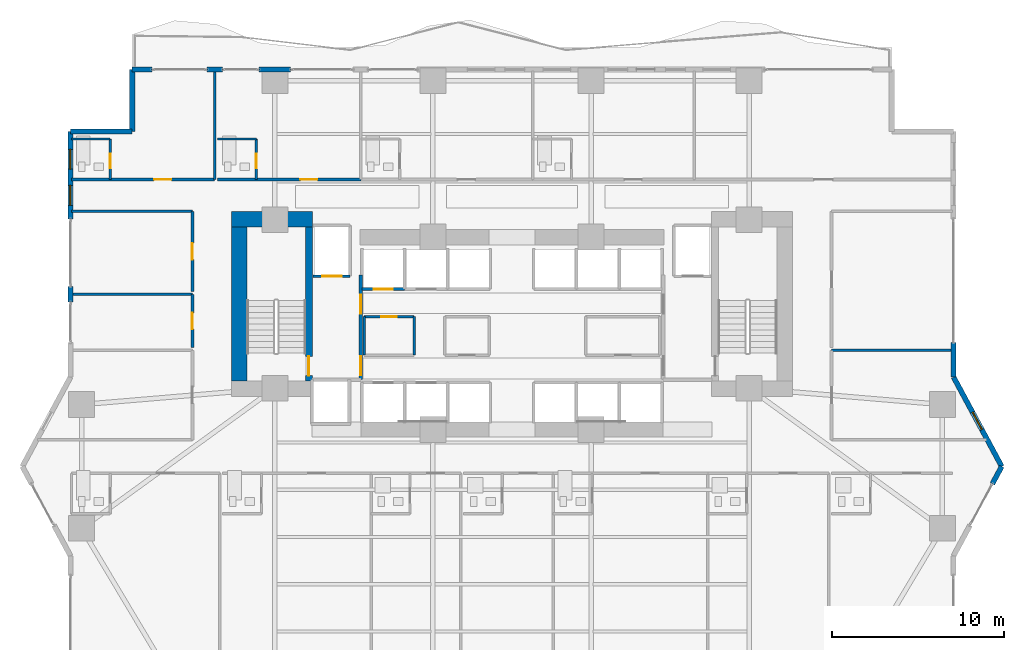
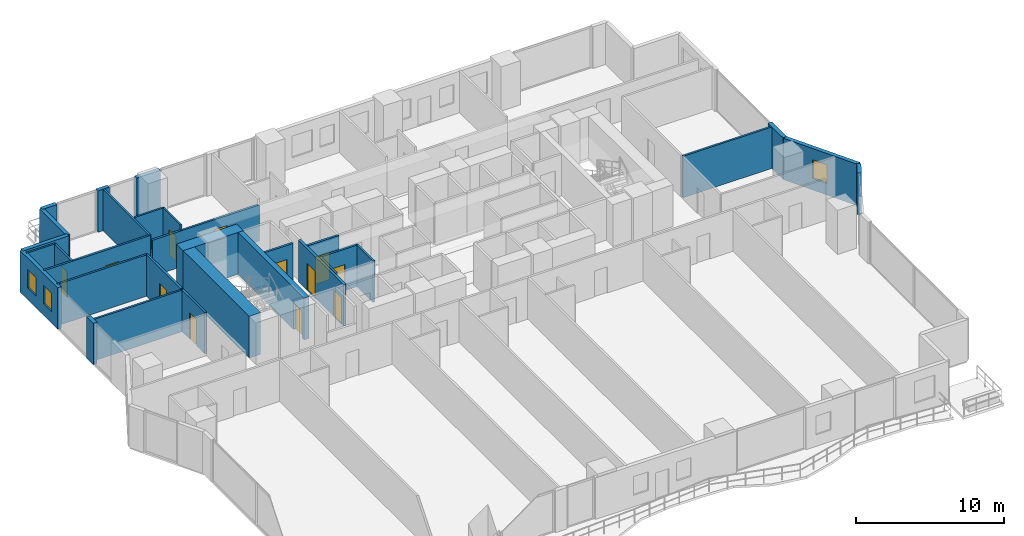
# One storey, part 20 of 29: 31 walls, 12 doors, 3 windows, 15 openings.
"""IFC4 building model written with IfcOpenShell, lengths in metres."""

from ifc_helpers import new_model, si_unit, direction, frame, frame_2d, origin, place, context, subcontext, project, spatial, rectangle, extrude, material, layer, layer_set, type_object, element, fill, save


model = new_model("IFC4")

# Units and contexts
model_context = context("Model", 3, precision=1e-05, world=origin(), true_north=direction((0.0, 1.0)))
body_context = subcontext(model_context, "Body", "Model", "MODEL_VIEW")
ifc_project = project(units=[si_unit("LENGTHUNIT", "METRE"), si_unit("AREAUNIT", "SQUARE_METRE"), si_unit("VOLUMEUNIT", "CUBIC_METRE"), si_unit("PLANEANGLEUNIT", "RADIAN"), si_unit("MASSUNIT", "GRAM", prefix="KILO")], contexts=[model_context])

# Site, building, storey
site_placement = place(None, origin())
site = spatial("IfcSite", under=ifc_project, at=site_placement, CompositionType="ELEMENT")
building_placement = place(site_placement, origin())
building = spatial("IfcBuilding", under=site, at=building_placement, Name="Zuhayl Quay Hotel", CompositionType="ELEMENT")
storey_placement = place(building_placement, frame((0.0, 0.0, 42.199951171875)))
storey = spatial("IfcBuildingStorey", under=building, at=storey_placement, Name="L09", CompositionType="ELEMENT", Elevation=42.199951171875)

# Walls
ifc_material_1 = material(Name="Concrete C70/85", Category="concrete")
ifc_layer_1 = layer(ifc_material_1, 0.89990234375, Name="Concrete C70/85", Category="concrete")
ifc_layer_set_1 = layer_set([ifc_layer_1], Name="Concrete C70/85")
wall_type_1 = type_object("IfcWallType", Name="WL_CORE_900", PredefinedType="SHEAR", material=ifc_layer_set_1)
wall_1_placement = place(storey_placement, frame((-16.31005859375, 14.3798828125, 0.0), z_axis=(0.0, 0.0, 1.0), x_axis=(1.0, 0.0, 0.0)))
element("IfcWall", 1, at=wall_1_placement, inside=storey, type_object=wall_type_1, Name="L09 Core Shear Wall CW_NW", PredefinedType="SHEAR", context=body_context, shape_type="SweptSolid", body=[
    extrude(rectangle(XDim=4.7099609375, YDim=0.89990234375, at=frame_2d((2.35498046875, 0.0))), origin(), (0.0, 0.0, 1.0), 3.4599609375),
])
wall_2_placement = place(storey_placement, frame((-15.860107421875, 4.969970703125, 0.0), z_axis=(0.0, 0.0, 1.0), x_axis=(0.0, 1.0, 0.0)))
element("IfcWall", 2, at=wall_2_placement, inside=storey, type_object=wall_type_1, Name="L09 Core Shear Wall CW_W", PredefinedType="SHEAR", context=body_context, shape_type="SweptSolid", body=[
    extrude(rectangle(XDim=8.9599609375, YDim=0.89990234375, at=frame_2d((4.47998046875, 0.0))), origin(), (0.0, 0.0, 1.0), 3.4599609375),
])
ifc_material_2 = material(Name="Precast concrete C45/55", Category="concrete")
ifc_layer_2 = layer(ifc_material_2, 0.300048828125, Name="Precast concrete C45/55", Category="concrete")
ifc_layer_set_2 = layer_set([ifc_layer_2], Name="Precast concrete C45/55")
wall_type_2 = type_object("IfcWallType", Name="WL_EXT_300", PredefinedType="STANDARD", material=ifc_layer_set_2)
wall_3_placement = place(storey_placement, frame((-25.699951171875, 9.570068359375, 0.0), z_axis=(0.0, 0.0, 1.0), x_axis=(0.0, 1.0, 0.0)))
element("IfcWall", 3, at=wall_3_placement, inside=storey, type_object=wall_type_2, Name="L09 Exterior Precast Wall ENV_L09_E05_EW2", PredefinedType="STANDARD", context=body_context, shape_type="SweptSolid", body=[
    extrude(rectangle(XDim=0.89990234375, YDim=0.300048828125, at=frame_2d((0.449951171875, 0.0))), origin(), (0.0, 0.0, 1.0), 3.429931640625),
])

# Wall, openings, windows
wall_4_placement = place(storey_placement, frame((-25.699951171875, 14.39990234375, 0.0), z_axis=(0.0, 0.0, 1.0), x_axis=(0.0, 1.0, 0.0)))
wall_4 = element("IfcWall", 4, at=wall_4_placement, inside=storey, type_object=wall_type_2, Name="L09 Exterior Precast Wall ENV_L09_E05_EW3", PredefinedType="STANDARD", context=body_context, shape_type="SweptSolid", body=[
    extrude(rectangle(XDim=5.10009765625, YDim=0.300048828125, at=frame_2d((2.550048828125, 0.0))), origin(), (0.0, 0.0, 1.0), 3.429931640625),
])
opening_1_placement = place(wall_4_placement, frame((0.800048828125, 0.0, 0.949951171875)))
opening_1 = element("IfcOpeningElement", 5, at=opening_1_placement, cuts=wall_4, Name="Opening W01N", PredefinedType="OPENING", context=body_context, shape_type="SweptSolid", body=[
    extrude(rectangle(XDim=1.14990234375, YDim=1.550048828125, at=frame_2d((0.574951171875, 0.77490234375))), frame((0.0, 0.159912109375, 0.0), z_axis=(0.0, -1.0, 0.0), x_axis=(1.0, 0.0, 0.0)), (0.0, 0.0, 1.0), 0.320068359375),
])
opening_2_placement = place(wall_4_placement, frame((2.905029296875, 0.0, 0.949951171875)))
opening_2 = element("IfcOpeningElement", 6, at=opening_2_placement, cuts=wall_4, Name="Opening W01N", PredefinedType="OPENING", context=body_context, shape_type="SweptSolid", body=[
    extrude(rectangle(XDim=1.14990234375, YDim=1.550048828125, at=frame_2d((0.574951171875, 0.77490234375))), frame((0.0, 0.159912109375, 0.0), z_axis=(0.0, -1.0, 0.0), x_axis=(1.0, 0.0, 0.0)), (0.0, 0.0, 1.0), 0.320068359375),
])
ifc_material_3 = material(Name="Dark Ceramic-Fritted Solar Glass", Category="glass")
window_type = type_object("IfcWindowType", Name="WN_NOTCH_1350", PartitioningType="SINGLE_PANEL", PredefinedType="WINDOW", material=ifc_material_3)
window_1_placement = place(opening_1_placement, origin())
window_1 = element("IfcWindow", 7, at=window_1_placement, inside=storey, type_object=window_type, Name="L09 Operable Facade Window 3-1", OverallHeight=1.550048828125, OverallWidth=1.14990234375, PartitioningType="SINGLE_PANEL", PredefinedType="WINDOW", context=body_context, shape_type="SweptSolid", body=[
    extrude(rectangle(XDim=1.14990234375, YDim=1.550048828125, at=frame_2d((0.574951171875, 0.77490234375))), frame((0.0, 0.030029296875, 0.0), z_axis=(0.0, -1.0, 0.0), x_axis=(1.0, 0.0, 0.0)), (0.0, 0.0, 1.0), 0.06005859375),
])
fill(opening_1, window_1)
window_2_placement = place(opening_2_placement, origin())
window_2 = element("IfcWindow", 8, at=window_2_placement, inside=storey, type_object=window_type, Name="L09 Operable Facade Window 3-2", OverallHeight=1.550048828125, OverallWidth=1.14990234375, PartitioningType="SINGLE_PANEL", PredefinedType="WINDOW", context=body_context, shape_type="SweptSolid", body=[
    extrude(rectangle(XDim=1.14990234375, YDim=1.550048828125, at=frame_2d((0.574951171875, 0.77490234375))), frame((0.0, 0.030029296875, 0.0), z_axis=(0.0, -1.0, 0.0), x_axis=(1.0, 0.0, 0.0)), (0.0, 0.0, 1.0), 0.06005859375),
])
fill(opening_2, window_2)

# Walls
wall_5_placement = place(storey_placement, frame((-25.699951171875, 19.5, 0.0), z_axis=(0.0, 0.0, 1.0), x_axis=(1.0, 0.0, 0.0)))
element("IfcWall", 9, at=wall_5_placement, inside=storey, type_object=wall_type_2, Name="L09 Exterior Precast Wall ENV_L09_EW06", PredefinedType="STANDARD", context=body_context, shape_type="SweptSolid", body=[
    extrude(rectangle(XDim=3.599853515625, YDim=0.300048828125, at=frame_2d((1.7998046875, 0.0))), origin(), (0.0, 0.0, 1.0), 3.429931640625),
])
wall_6_placement = place(storey_placement, frame((-22.10009765625, 19.5, 0.0), z_axis=(0.0, 0.0, 1.0), x_axis=(0.0, 1.0, 0.0)))
element("IfcWall", 10, at=wall_6_placement, inside=storey, type_object=wall_type_2, Name="L09 Exterior Precast Wall ENV_L09_EW07", PredefinedType="STANDARD", context=body_context, shape_type="SweptSolid", body=[
    extrude(rectangle(XDim=3.60009765625, YDim=0.300048828125, at=frame_2d((1.800048828125, 0.0))), origin(), (0.0, 0.0, 1.0), 3.429931640625),
])
wall_7_placement = place(storey_placement, frame((-22.10009765625, 23.10009765625, 0.0), z_axis=(0.0, 0.0, 1.0), x_axis=(1.0, 0.0, 0.0)))
element("IfcWall", 11, at=wall_7_placement, inside=storey, type_object=wall_type_2, Name="L09 Exterior Precast Wall ENV_L09_N_EW1", PredefinedType="STANDARD", context=body_context, shape_type="SweptSolid", body=[
    extrude(rectangle(XDim=1.150146484375, YDim=0.300048828125, at=frame_2d((0.5751953125, 0.0))), origin(), (0.0, 0.0, 1.0), 3.429931640625),
])
wall_8_placement = place(storey_placement, frame((-17.75, 23.10009765625, 0.0), z_axis=(0.0, 0.0, 1.0), x_axis=(1.0, 0.0, 0.0)))
element("IfcWall", 12, at=wall_8_placement, inside=storey, type_object=wall_type_2, Name="L09 Exterior Precast Wall ENV_L09_N_EW2", PredefinedType="STANDARD", context=body_context, shape_type="SweptSolid", body=[
    extrude(rectangle(XDim=0.89990234375, YDim=0.300048828125, at=frame_2d((0.449951171875, 0.0))), origin(), (0.0, 0.0, 1.0), 3.429931640625),
])
wall_9_placement = place(storey_placement, frame((-14.719970703125, 23.10009765625, 0.0), z_axis=(0.0, 0.0, 1.0), x_axis=(1.0, 0.0, 0.0)))
element("IfcWall", 13, at=wall_9_placement, inside=storey, type_object=wall_type_2, Name="L09 Exterior Precast Wall ENV_L09_N_EW3", PredefinedType="STANDARD", context=body_context, shape_type="SweptSolid", body=[
    extrude(rectangle(XDim=1.840087890625, YDim=0.300048828125, at=frame_2d((0.919921875, 0.0))), origin(), (0.0, 0.0, 1.0), 3.429931640625),
])
wall_10_placement = place(storey_placement, frame((25.699951171875, 7.199951171875, 0.0), z_axis=(0.0, 0.0, 1.0), x_axis=(0.0, -1.0, 0.0)))
element("IfcWall", 14, at=wall_10_placement, inside=storey, type_object=wall_type_2, Name="L09 Exterior Precast Wall ENV_L09_E11_EW2", PredefinedType="STANDARD", context=body_context, shape_type="SweptSolid", body=[
    extrude(rectangle(XDim=2.0, YDim=0.300048828125, at=frame_2d((1.0, 0.0))), origin(), (0.0, 0.0, 1.0), 3.429931640625),
])

# Wall, opening, window
wall_11_placement = place(storey_placement, frame((25.699951171875, 5.199951171875, 0.0), z_axis=(0.0, 0.0, 1.0), x_axis=(0.474109683532, -0.880465790352, 0.0)))
wall_11 = element("IfcWall", 15, at=wall_11_placement, inside=storey, type_object=wall_type_2, Name="L09 Exterior Precast Wall ENV_L09_E12_EW1", PredefinedType="STANDARD", context=body_context, shape_type="SweptSolid", body=[
    extrude(rectangle(XDim=5.906005859375, YDim=0.300048828125, at=frame_2d((2.953125, 0.0))), origin(), (0.0, 0.0, 1.0), 3.429931640625),
])
opening_3_placement = place(wall_11_placement, frame((2.32373046875, 0.0, 0.949951171875)))
opening_3 = element("IfcOpeningElement", 16, at=opening_3_placement, cuts=wall_11, Name="Opening W01N", PredefinedType="OPENING", context=body_context, shape_type="SweptSolid", body=[
    extrude(rectangle(XDim=1.14990234375, YDim=1.550048828125, at=frame_2d((0.574951171875, 0.77490234375))), frame((0.0, 0.159912109375, 0.0), z_axis=(0.0, -1.0, 0.0), x_axis=(1.0, 0.0, 0.0)), (0.0, 0.0, 1.0), 0.320068359375),
])
window_3_placement = place(opening_3_placement, origin())
window_3 = element("IfcWindow", 17, at=window_3_placement, inside=storey, type_object=window_type, Name="L09 Operable Facade Window 1-1", OverallHeight=1.550048828125, OverallWidth=1.14990234375, PartitioningType="SINGLE_PANEL", PredefinedType="WINDOW", context=body_context, shape_type="SweptSolid", body=[
    extrude(rectangle(XDim=1.14990234375, YDim=1.550048828125, at=frame_2d((0.574951171875, 0.77490234375))), frame((0.0, 0.030029296875, 0.0), z_axis=(0.0, -1.0, 0.0), x_axis=(1.0, 0.0, 0.0)), (0.0, 0.0, 1.0), 0.06005859375),
])
fill(opening_3, window_3)

# Wall
wall_12_placement = place(storey_placement, frame((28.5, 0.0, 0.0), z_axis=(0.0, 0.0, 1.0), x_axis=(-0.474099823035, -0.880471099922, 0.0)))
element("IfcWall", 18, at=wall_12_placement, inside=storey, type_object=wall_type_2, Name="L09 Exterior Precast Wall ENV_L09_E13_EW1", PredefinedType="STANDARD", context=body_context, shape_type="SweptSolid", body=[
    extrude(rectangle(XDim=1.14990234375, YDim=0.300048828125, at=frame_2d((0.574951171875, 0.0))), origin(), (0.0, 0.0, 1.0), 3.429931640625),
])

# Wall, opening, door
ifc_material_4 = material(Name="Acoustic Gypsum Partition STC-58")
ifc_layer_3 = layer(ifc_material_4, 0.14990234375, Name="Acoustic Gypsum Partition STC-58")
ifc_layer_set_3 = layer_set([ifc_layer_3], Name="Acoustic Gypsum Partition STC-58")
wall_type_3 = type_object("IfcWallType", Name="WL_PART_150", PredefinedType="PARTITIONING", material=ifc_layer_set_3)
wall_13_placement = place(storey_placement, frame((-8.610107421875, 8.719970703125, 0.0), z_axis=(0.0, 0.0, 1.0), x_axis=(1.0, 0.0, 0.0)))
wall_13 = element("IfcWall", 19, at=wall_13_placement, inside=storey, type_object=wall_type_3, Name="L09 Partition IW_L09_CORE_HK_N", PredefinedType="PARTITIONING", context=body_context, shape_type="SweptSolid", body=[
    extrude(rectangle(XDim=2.920166015625, YDim=0.14990234375, at=frame_2d((1.4599609375, 0.0))), origin(), (0.0, 0.0, 1.0), 3.429931640625),
])
opening_4_placement = place(wall_13_placement, frame((1.010009765625, 0.0, 0.0)))
opening_4 = element("IfcOpeningElement", 20, at=opening_4_placement, cuts=wall_13, Name="Opening D06", PredefinedType="OPENING", context=body_context, shape_type="SweptSolid", body=[
    extrude(rectangle(XDim=0.89990234375, YDim=2.14990234375, at=frame_2d((0.449951171875, 1.074951171875))), frame((0.0, 0.0849609375, 0.0), z_axis=(0.0, -1.0, 0.0), x_axis=(1.0, 0.0, 0.0)), (0.0, 0.0, 1.0), 0.169921875),
])
ifc_material_5 = material(Name="Steel ASTM A992 Grade 50", Category="steel")
door_type_1 = type_object("IfcDoorType", Name="DR_INT_900", OperationType="NOTDEFINED", PredefinedType="DOOR", material=ifc_material_5)
door_1_placement = place(opening_4_placement, origin())
door_1 = element("IfcDoor", 21, at=door_1_placement, inside=storey, type_object=door_type_1, Name="L09 Core Housekeeping Store Door", OperationType="SINGLE_SWING_RIGHT", OverallHeight=2.14990234375, OverallWidth=0.89990234375, PredefinedType="DOOR", context=body_context, shape_type="SweptSolid", body=[
    extrude(rectangle(XDim=0.89990234375, YDim=2.14990234375, at=frame_2d((0.449951171875, 1.074951171875))), frame((0.0, 0.02490234375, 0.0), z_axis=(0.0, -1.0, 0.0), x_axis=(1.0, 0.0, 0.0)), (0.0, 0.0, 1.0), 0.050048828125),
])
fill(opening_4, door_1)

# Walls
for number, where, z_axis, x_axis, name in (
    (22, (-8.610107421875, 6.47998046875, 0.0), (0.0, 0.0, 1.0), (0.0, 1.0, 0.0), "L09 Partition IW_L09_CORE_HK_W"),
    (23, (-5.68994140625, 6.47998046875, 0.0), (0.0, 0.0, 1.0), (0.0, 1.0, 0.0), "L09 Partition IW_L09_CORE_HK_E"),
):
    element("IfcWall", number, at=place(storey_placement, frame(where, z_axis=z_axis, x_axis=x_axis)), inside=storey, type_object=wall_type_3, Name=name, PredefinedType="PARTITIONING", context=body_context, shape_type="SweptSolid", body=[
        extrude(rectangle(XDim=2.239990234375, YDim=0.14990234375, at=frame_2d((1.1201171875, 0.0))), origin(), (0.0, 0.0, 1.0), 3.429931640625),
    ])
wall_14_placement = place(storey_placement, frame((-17.300048828125, 16.699951171875, 0.0), z_axis=(0.0, 0.0, 1.0), x_axis=(0.0, 1.0, 0.0)))
element("IfcWall", 24, at=wall_14_placement, inside=storey, type_object=wall_type_3, Name="L09 Partition IW_L09_NU01A_E", PredefinedType="PARTITIONING", context=body_context, shape_type="SweptSolid", body=[
    extrude(rectangle(XDim=6.320068359375, YDim=0.14990234375, at=frame_2d((3.16015625, 0.0))), origin(), (0.0, 0.0, 1.0), 3.429931640625),
])
for number, where, z_axis, x_axis, name in (
    (25, (18.60009765625, 6.75, 0.0), (0.0, 0.0, 1.0), (1.0, 0.0, 0.0), "L09 Partition IW_L09_HK_MAIN_N"),
    (26, (-25.639892578125, 10.02001953125, 0.0), (0.0, 0.0, 1.0), (1.0, 0.0, 0.0), "L09 Partition IW_L09_WPROW_2_N"),
    (27, (-25.639892578125, 14.85009765625, 0.0), (0.0, 0.0, 1.0), (1.0, 0.0, 0.0), "L09 Partition IW_L09_WPROW_3_N"),
):
    element("IfcWall", number, at=place(storey_placement, frame(where, z_axis=z_axis, x_axis=x_axis)), inside=storey, type_object=wall_type_3, Name=name, PredefinedType="PARTITIONING", context=body_context, shape_type="SweptSolid", body=[
        extrude(rectangle(XDim=7.039794921875, YDim=0.14990234375, at=frame_2d((3.52001953125, 0.0))), origin(), (0.0, 0.0, 1.0), 3.429931640625),
    ])

# Wall, opening, door
ifc_layer_4 = layer(ifc_material_4, 0.159912109375, Name="Acoustic Gypsum Partition STC-58")
ifc_layer_set_4 = layer_set([ifc_layer_4], Name="Acoustic Gypsum Partition STC-58")
wall_type_4 = type_object("IfcWallType", Name="WL_PART_CORR_160", PredefinedType="PARTITIONING", material=ifc_layer_set_4)
wall_15_placement = place(storey_placement, frame((-25.639892578125, 16.699951171875, 0.0), z_axis=(0.0, 0.0, 1.0), x_axis=(1.0, 0.0, 0.0)))
wall_15 = element("IfcWall", 28, at=wall_15_placement, inside=storey, type_object=wall_type_4, Name="L09 Partition IW_L09_NU01A_COR", PredefinedType="PARTITIONING", context=body_context, shape_type="SweptSolid", body=[
    extrude(rectangle(XDim=8.33984375, YDim=0.159912109375, at=frame_2d((4.169921875, 0.0))), origin(), (0.0, 0.0, 1.0), 3.429931640625),
])
opening_5_placement = place(wall_15_placement, frame((4.820068359375, 0.0, 0.0)))
opening_5 = element("IfcOpeningElement", 29, at=opening_5_placement, cuts=wall_15, Name="Opening D03L", PredefinedType="OPENING", context=body_context, shape_type="SweptSolid", body=[
    extrude(rectangle(XDim=1.0, YDim=2.14990234375, at=frame_2d((0.5, 1.074951171875))), frame((0.0, 0.08984375, 0.0), z_axis=(0.0, -1.0, 0.0), x_axis=(1.0, 0.0, 0.0)), (0.0, 0.0, 1.0), 0.179931640625),
])
ifc_material_6 = material(Name="Solid Walnut Acoustic Fire Door")
door_type_2 = type_object("IfcDoorType", Name="DR_SUITE_1000", OperationType="NOTDEFINED", PredefinedType="DOOR", material=ifc_material_6)
door_2_placement = place(opening_5_placement, origin())
door_2 = element("IfcDoor", 30, at=door_2_placement, inside=storey, type_object=door_type_2, Name="L09 Deluxe Gulf Guest Room L09-01A Entrance Door", OperationType="SINGLE_SWING_RIGHT", OverallHeight=2.14990234375, OverallWidth=1.0, PredefinedType="DOOR", context=body_context, shape_type="SweptSolid", body=[
    extrude(rectangle(XDim=1.0, YDim=2.14990234375, at=frame_2d((0.5, 1.074951171875))), frame((0.0, 0.02490234375, 0.0), z_axis=(0.0, -1.0, 0.0), x_axis=(1.0, 0.0, 0.0)), (0.0, 0.0, 1.0), 0.050048828125),
])
fill(opening_5, door_2)

wall_16_placement = place(storey_placement, frame((-17.139892578125, 16.699951171875, 0.0), z_axis=(0.0, 0.0, 1.0), x_axis=(1.0, 0.0, 0.0)))
wall_16 = element("IfcWall", 31, at=wall_16_placement, inside=storey, type_object=wall_type_4, Name="L09 Partition IW_L09_NU01B_COR", PredefinedType="PARTITIONING", context=body_context, shape_type="SweptSolid", body=[
    extrude(rectangle(XDim=8.33984375, YDim=0.159912109375, at=frame_2d((4.169921875, 0.0))), origin(), (0.0, 0.0, 1.0), 2.97314453125),
])
opening_6_placement = place(wall_16_placement, frame((4.820068359375, 0.0, 0.0)))
opening_6 = element("IfcOpeningElement", 32, at=opening_6_placement, cuts=wall_16, Name="Opening D03L", PredefinedType="OPENING", context=body_context, shape_type="SweptSolid", body=[
    extrude(rectangle(XDim=1.0, YDim=2.14990234375, at=frame_2d((0.5, 1.074951171875))), frame((0.0, 0.08984375, 0.0), z_axis=(0.0, -1.0, 0.0), x_axis=(1.0, 0.0, 0.0)), (0.0, 0.0, 1.0), 0.179931640625),
])
door_3_placement = place(opening_6_placement, origin())
door_3 = element("IfcDoor", 33, at=door_3_placement, inside=storey, type_object=door_type_2, Name="L09 Deluxe Gulf Guest Room L09-01B Entrance Door", OperationType="SINGLE_SWING_RIGHT", OverallHeight=2.14990234375, OverallWidth=1.0, PredefinedType="DOOR", context=body_context, shape_type="SweptSolid", body=[
    extrude(rectangle(XDim=1.0, YDim=2.14990234375, at=frame_2d((0.5, 1.074951171875))), frame((0.0, 0.02490234375, 0.0), z_axis=(0.0, -1.0, 0.0), x_axis=(1.0, 0.0, 0.0)), (0.0, 0.0, 1.0), 0.050048828125),
])
fill(opening_6, door_3)

wall_17_placement = place(storey_placement, frame((-18.60009765625, 6.909912109375, 0.0), z_axis=(0.0, 0.0, 1.0), x_axis=(0.0, 1.0, 0.0)))
wall_17 = element("IfcWall", 34, at=wall_17_placement, inside=storey, type_object=wall_type_4, Name="L09 Partition IW_L09_WPROW_2_E", PredefinedType="PARTITIONING", context=body_context, shape_type="SweptSolid", body=[
    extrude(rectangle(XDim=3.110107421875, YDim=0.159912109375, at=frame_2d((1.55517578125, 0.0))), origin(), (0.0, 0.0, 1.0), 3.429931640625),
])
opening_7_placement = place(wall_17_placement, frame((1.080078125, 0.0, 0.0)))
opening_7 = element("IfcOpeningElement", 35, at=opening_7_placement, cuts=wall_17, Name="Opening D03", PredefinedType="OPENING", context=body_context, shape_type="SweptSolid", body=[
    extrude(rectangle(XDim=0.949951171875, YDim=2.14990234375, at=frame_2d((0.47509765625, 1.074951171875))), frame((0.0, 0.08984375, 0.0), z_axis=(0.0, -1.0, 0.0), x_axis=(1.0, 0.0, 0.0)), (0.0, 0.0, 1.0), 0.179931640625),
])
door_type_3 = type_object("IfcDoorType", Name="DR_SUITE_950", OperationType="NOTDEFINED", PredefinedType="DOOR", material=ifc_material_6)
door_4_placement = place(opening_7_placement, origin())
door_4 = element("IfcDoor", 36, at=door_4_placement, inside=storey, type_object=door_type_3, Name="L09 Sunset Tea Salon L09 Door", OperationType="SINGLE_SWING_LEFT", OverallHeight=2.14990234375, OverallWidth=0.949951171875, PredefinedType="DOOR", context=body_context, shape_type="SweptSolid", body=[
    extrude(rectangle(XDim=0.949951171875, YDim=2.14990234375, at=frame_2d((0.47509765625, 1.074951171875))), frame((0.0, 0.02490234375, 0.0), z_axis=(0.0, -1.0, 0.0), x_axis=(1.0, 0.0, 0.0)), (0.0, 0.0, 1.0), 0.050048828125),
])
fill(opening_7, door_4)

wall_18_placement = place(storey_placement, frame((-18.60009765625, 10.179931640625, 0.0), z_axis=(0.0, 0.0, 1.0), x_axis=(0.0, 1.0, 0.0)))
wall_18 = element("IfcWall", 37, at=wall_18_placement, inside=storey, type_object=wall_type_4, Name="L09 Partition IW_L09_WPROW_3_E", PredefinedType="PARTITIONING", context=body_context, shape_type="SweptSolid", body=[
    extrude(rectangle(XDim=4.670166015625, YDim=0.159912109375, at=frame_2d((2.3349609375, 0.0))), origin(), (0.0, 0.0, 1.0), 3.429931640625),
])
opening_8_placement = place(wall_18_placement, frame((1.860107421875, 0.0, 0.0)))
opening_8 = element("IfcOpeningElement", 38, at=opening_8_placement, cuts=wall_18, Name="Opening D03", PredefinedType="OPENING", context=body_context, shape_type="SweptSolid", body=[
    extrude(rectangle(XDim=0.949951171875, YDim=2.14990234375, at=frame_2d((0.47509765625, 1.074951171875))), frame((0.0, 0.08984375, 0.0), z_axis=(0.0, -1.0, 0.0), x_axis=(1.0, 0.0, 0.0)), (0.0, 0.0, 1.0), 0.179931640625),
])
door_5_placement = place(opening_8_placement, origin())
door_5 = element("IfcDoor", 39, at=door_5_placement, inside=storey, type_object=door_type_3, Name="L09 West Horizon Salon L09 Door", OperationType="SINGLE_SWING_RIGHT", OverallHeight=2.14990234375, OverallWidth=0.949951171875, PredefinedType="DOOR", context=body_context, shape_type="SweptSolid", body=[
    extrude(rectangle(XDim=0.949951171875, YDim=2.14990234375, at=frame_2d((0.47509765625, 1.074951171875))), frame((0.0, 0.02490234375, 0.0), z_axis=(0.0, -1.0, 0.0), x_axis=(1.0, 0.0, 0.0)), (0.0, 0.0, 1.0), 0.050048828125),
])
fill(opening_8, door_5)

ifc_material_7 = material(Name="Moisture-Resistant Sanitarychase Gypsum")
ifc_layer_5 = layer(ifc_material_7, 0.135009765625, Name="Moisture-Resistant Sanitarychase Gypsum")
ifc_layer_set_5 = layer_set([ifc_layer_5], Name="Moisture-Resistant Sanitarychase Gypsum")
wall_type_5 = type_object("IfcWallType", Name="WL_PART_PLUMB_150", PredefinedType="PLUMBINGWALL", material=ifc_layer_set_5)
wall_19_placement = place(storey_placement, frame((-23.3798828125, 16.699951171875, 0.0), z_axis=(0.0, 0.0, 1.0), x_axis=(0.0, 1.0, 0.0)))
wall_19 = element("IfcWall", 40, at=wall_19_placement, inside=storey, type_object=wall_type_5, Name="L09 Partition IW_L09_NU01A_BE", PredefinedType="PLUMBINGWALL", context=body_context, shape_type="SweptSolid", body=[
    extrude(rectangle(XDim=2.360107421875, YDim=0.135009765625, at=frame_2d((1.18017578125, 0.0))), origin(), (0.0, 0.0, 1.0), 3.429931640625),
])
opening_9_placement = place(wall_19_placement, frame((0.64990234375, 0.0, 0.0)))
opening_9 = element("IfcOpeningElement", 41, at=opening_9_placement, cuts=wall_19, Name="Opening D04", PredefinedType="OPENING", context=body_context, shape_type="SweptSolid", body=[
    extrude(rectangle(XDim=0.85009765625, YDim=2.10009765625, at=frame_2d((0.425048828125, 1.050048828125))), frame((0.0, 0.077392578125, 0.0), z_axis=(0.0, -1.0, 0.0), x_axis=(1.0, 0.0, 0.0)), (0.0, 0.0, 1.0), 0.155029296875),
])
ifc_material_8 = material(Name="Moisture-Resistant Walnut Veneer")
door_type_4 = type_object("IfcDoorType", Name="DR_BATH_850", OperationType="NOTDEFINED", PredefinedType="DOOR", material=ifc_material_8)
door_6_placement = place(opening_9_placement, origin())
door_6 = element("IfcDoor", 42, at=door_6_placement, inside=storey, type_object=door_type_4, Name="L09 Deluxe Gulf Guest Room L09-01A En-Suite Door", OperationType="SINGLE_SWING_LEFT", OverallHeight=2.10009765625, OverallWidth=0.85009765625, PredefinedType="DOOR", context=body_context, shape_type="SweptSolid", body=[
    extrude(rectangle(XDim=0.85009765625, YDim=2.10009765625, at=frame_2d((0.425048828125, 1.050048828125))), frame((0.0, 0.02490234375, 0.0), z_axis=(0.0, -1.0, 0.0), x_axis=(1.0, 0.0, 0.0)), (0.0, 0.0, 1.0), 0.050048828125),
])
fill(opening_9, door_6)

wall_20_placement = place(storey_placement, frame((-14.8798828125, 16.699951171875, 0.0), z_axis=(0.0, 0.0, 1.0), x_axis=(0.0, 1.0, 0.0)))
wall_20 = element("IfcWall", 43, at=wall_20_placement, inside=storey, type_object=wall_type_5, Name="L09 Partition IW_L09_NU01B_BE", PredefinedType="PLUMBINGWALL", context=body_context, shape_type="SweptSolid", body=[
    extrude(rectangle(XDim=2.360107421875, YDim=0.135009765625, at=frame_2d((1.18017578125, 0.0))), origin(), (0.0, 0.0, 1.0), 3.429931640625),
])
opening_10_placement = place(wall_20_placement, frame((0.64990234375, 0.0, 0.0)))
opening_10 = element("IfcOpeningElement", 44, at=opening_10_placement, cuts=wall_20, Name="Opening D04", PredefinedType="OPENING", context=body_context, shape_type="SweptSolid", body=[
    extrude(rectangle(XDim=0.85009765625, YDim=2.10009765625, at=frame_2d((0.425048828125, 1.050048828125))), frame((0.0, 0.077392578125, 0.0), z_axis=(0.0, -1.0, 0.0), x_axis=(1.0, 0.0, 0.0)), (0.0, 0.0, 1.0), 0.155029296875),
])
door_7_placement = place(opening_10_placement, origin())
door_7 = element("IfcDoor", 45, at=door_7_placement, inside=storey, type_object=door_type_4, Name="L09 Deluxe Gulf Guest Room L09-01B En-Suite Door", OperationType="SINGLE_SWING_LEFT", OverallHeight=2.10009765625, OverallWidth=0.85009765625, PredefinedType="DOOR", context=body_context, shape_type="SweptSolid", body=[
    extrude(rectangle(XDim=0.85009765625, YDim=2.10009765625, at=frame_2d((0.425048828125, 1.050048828125))), frame((0.0, 0.02490234375, 0.0), z_axis=(0.0, -1.0, 0.0), x_axis=(1.0, 0.0, 0.0)), (0.0, 0.0, 1.0), 0.050048828125),
])
fill(opening_10, door_7)

# Walls
for number, where, z_axis, x_axis, name in (
    (46, (-25.639892578125, 19.06005859375, 0.0), (0.0, 0.0, 1.0), (1.0, 0.0, 0.0), "L09 Partition IW_L09_NU01A_BN"),
    (47, (-17.139892578125, 19.06005859375, 0.0), (0.0, 0.0, 1.0), (1.0, 0.0, 0.0), "L09 Partition IW_L09_NU01B_BN"),
):
    element("IfcWall", number, at=place(storey_placement, frame(where, z_axis=z_axis, x_axis=x_axis)), inside=storey, type_object=wall_type_5, Name=name, PredefinedType="PLUMBINGWALL", context=body_context, shape_type="SweptSolid", body=[
        extrude(rectangle(XDim=2.260009765625, YDim=0.135009765625, at=frame_2d((1.1298828125, 0.0))), origin(), (0.0, 0.0, 1.0), 3.429931640625),
    ])

# Wall, opening, door
ifc_material_9 = material(Name="Gypsum Fireboard Assembly EI-90")
ifc_layer_6 = layer(ifc_material_9, 0.1650390625, Name="Gypsum Fireboard Assembly EI-90")
ifc_layer_set_6 = layer_set([ifc_layer_6], Name="Gypsum Fireboard Assembly EI-90")
wall_type_6 = type_object("IfcWallType", Name="WL_PART_SHAFT_160", PredefinedType="PARTITIONING", material=ifc_layer_set_6)
wall_21_placement = place(storey_placement, frame((-11.580078125, 11.070068359375, 0.0), z_axis=(0.0, 0.0, 1.0), x_axis=(1.0, 0.0, 0.0)))
wall_21 = element("IfcWall", 48, at=wall_21_placement, inside=storey, type_object=wall_type_6, Name="L09 Partition IW_L09_SH_FL1_F", PredefinedType="PARTITIONING", context=body_context, shape_type="SweptSolid", body=[
    extrude(rectangle(XDim=2.16015625, YDim=0.1650390625, at=frame_2d((1.080078125, 0.0))), origin(), (0.0, 0.0, 1.0), 3.429931640625),
])
opening_11_placement = place(wall_21_placement, frame((0.530029296875, 0.0, 0.0)))
opening_11 = element("IfcOpeningElement", 49, at=opening_11_placement, cuts=wall_21, Name="Opening LD2", PredefinedType="OPENING", context=body_context, shape_type="SweptSolid", body=[
    extrude(rectangle(XDim=1.14990234375, YDim=2.25, at=frame_2d((0.574951171875, 1.125))), frame((0.0, 0.092529296875, 0.0), z_axis=(0.0, -1.0, 0.0), x_axis=(1.0, 0.0, 0.0)), (0.0, 0.0, 1.0), 0.18505859375),
])
ifc_material_10 = material(Name="Brushed Stainless Steel", Category="steel")
door_type_5 = type_object("IfcDoorType", Name="DR_LIFT_FF_1100", OperationType="SLIDING_TO_LEFT", PredefinedType="DOOR", material=ifc_material_10)
door_8_placement = place(opening_11_placement, origin())
door_8 = element("IfcDoor", 50, at=door_8_placement, inside=storey, type_object=door_type_5, Name="L09 Lift FL1 Sliding Landing Door", OperationType="SLIDING_TO_LEFT", OverallHeight=2.25, OverallWidth=1.14990234375, PredefinedType="DOOR", context=body_context, shape_type="SweptSolid", body=[
    extrude(rectangle(XDim=1.14990234375, YDim=2.25, at=frame_2d((0.574951171875, 1.125))), frame((0.0, 0.02490234375, 0.0), z_axis=(0.0, -1.0, 0.0), x_axis=(1.0, 0.0, 0.0)), (0.0, 0.0, 1.0), 0.050048828125),
])
fill(opening_11, door_8)

wall_22_placement = place(storey_placement, frame((-8.72998046875, 10.320068359375, 0.0), z_axis=(0.0, 0.0, 1.0), x_axis=(1.0, 0.0, 0.0)))
wall_22 = element("IfcWall", 51, at=wall_22_placement, inside=storey, type_object=wall_type_6, Name="L09 Partition IW_L09_SH_LP3_F", PredefinedType="PARTITIONING", context=body_context, shape_type="SweptSolid", body=[
    extrude(rectangle(XDim=2.47998046875, YDim=0.1650390625, at=frame_2d((1.239990234375, 0.0))), origin(), (0.0, 0.0, 1.0), 3.429931640625),
])
opening_12_placement = place(wall_22_placement, frame((0.68994140625, 0.0, 0.0)))
opening_12 = element("IfcOpeningElement", 52, at=opening_12_placement, cuts=wall_22, Name="Opening LD1", PredefinedType="OPENING", context=body_context, shape_type="SweptSolid", body=[
    extrude(rectangle(XDim=1.10009765625, YDim=2.25, at=frame_2d((0.550048828125, 1.125))), frame((0.0, 0.092529296875, 0.0), z_axis=(0.0, -1.0, 0.0), x_axis=(1.0, 0.0, 0.0)), (0.0, 0.0, 1.0), 0.18505859375),
])
door_type_6 = type_object("IfcDoorType", Name="DR_LIFT_PASS_1100", OperationType="SLIDING_TO_LEFT", PredefinedType="DOOR", material=ifc_material_10)
door_9_placement = place(opening_12_placement, origin())
door_9 = element("IfcDoor", 53, at=door_9_placement, inside=storey, type_object=door_type_6, Name="L09 Lift LP3 Sliding Landing Door", OperationType="SLIDING_TO_LEFT", OverallHeight=2.25, OverallWidth=1.10009765625, PredefinedType="DOOR", context=body_context, shape_type="SweptSolid", body=[
    extrude(rectangle(XDim=1.10009765625, YDim=2.25, at=frame_2d((0.550048828125, 1.125))), frame((0.0, 0.02490234375, 0.0), z_axis=(0.0, -1.0, 0.0), x_axis=(1.0, 0.0, 0.0)), (0.0, 0.0, 1.0), 0.050048828125),
])
fill(opening_12, door_9)

# Wall, openings, doors
ifc_material_11 = material(Name="Gypsum Fireboard Assembly EI-120")
ifc_layer_7 = layer(ifc_material_11, 0.199951171875, Name="Gypsum Fireboard Assembly EI-120")
ifc_layer_set_7 = layer_set([ifc_layer_7], Name="Gypsum Fireboard Assembly EI-120")
wall_type_7 = type_object("IfcWallType", Name="WL_PART_SHAFT_200", PredefinedType="PARTITIONING", material=ifc_layer_set_7)
wall_23_placement = place(storey_placement, frame((-8.800048828125, 5.050048828125, 0.0), z_axis=(0.0, 0.0, 1.0), x_axis=(0.0, 1.0, 0.0)))
wall_23 = element("IfcWall", 54, at=wall_23_placement, inside=storey, type_object=wall_type_7, Name="L09 Partition IW_L09_FSAE_W_E", PredefinedType="PARTITIONING", context=body_context, shape_type="SweptSolid", body=[
    extrude(rectangle(XDim=6.099853515625, YDim=0.199951171875, at=frame_2d((3.0498046875, 0.0))), origin(), (0.0, 0.0, 1.0), 3.429931640625),
])
opening_13_placement = place(wall_23_placement, frame((0.25, 0.0, 0.0)))
opening_13 = element("IfcOpeningElement", 55, at=opening_13_placement, cuts=wall_23, Name="Opening D02", PredefinedType="OPENING", context=body_context, shape_type="SweptSolid", body=[
    extrude(rectangle(XDim=1.10009765625, YDim=2.199951171875, at=frame_2d((0.550048828125, 1.10009765625))), frame((0.0, 0.10986328125, 0.0), z_axis=(0.0, -1.0, 0.0), x_axis=(1.0, 0.0, 0.0)), (0.0, 0.0, 1.0), 0.219970703125),
])
opening_14_placement = place(wall_23_placement, frame((3.85009765625, 0.0, 0.0)))
opening_14 = element("IfcOpeningElement", 56, at=opening_14_placement, cuts=wall_23, Name="Opening D02", PredefinedType="OPENING", context=body_context, shape_type="SweptSolid", body=[
    extrude(rectangle(XDim=1.10009765625, YDim=2.199951171875, at=frame_2d((0.550048828125, 1.10009765625))), frame((0.0, 0.10986328125, 0.0), z_axis=(0.0, -1.0, 0.0), x_axis=(1.0, 0.0, 0.0)), (0.0, 0.0, 1.0), 0.219970703125),
])
door_type_7 = type_object("IfcDoorType", Name="DR_FIRE_90_1100", OperationType="NOTDEFINED", PredefinedType="DOOR", material=ifc_material_5)
door_10_placement = place(opening_13_placement, origin())
door_10 = element("IfcDoor", 57, at=door_10_placement, inside=storey, type_object=door_type_7, Name="L09 FSAE Lobby West South Entry Door", OperationType="SINGLE_SWING_RIGHT", OverallHeight=2.199951171875, OverallWidth=1.10009765625, PredefinedType="DOOR", context=body_context, shape_type="SweptSolid", body=[
    extrude(rectangle(XDim=1.10009765625, YDim=2.199951171875, at=frame_2d((0.550048828125, 1.10009765625))), frame((0.0, 0.02490234375, 0.0), z_axis=(0.0, -1.0, 0.0), x_axis=(1.0, 0.0, 0.0)), (0.0, 0.0, 1.0), 0.050048828125),
])
fill(opening_13, door_10)
door_11_placement = place(opening_14_placement, origin())
door_11 = element("IfcDoor", 58, at=door_11_placement, inside=storey, type_object=door_type_7, Name="L09 FSAE Lobby West North Entry Door", OperationType="SINGLE_SWING_LEFT", OverallHeight=2.199951171875, OverallWidth=1.10009765625, PredefinedType="DOOR", context=body_context, shape_type="SweptSolid", body=[
    extrude(rectangle(XDim=1.10009765625, YDim=2.199951171875, at=frame_2d((0.550048828125, 1.10009765625))), frame((0.0, 0.02490234375, 0.0), z_axis=(0.0, -1.0, 0.0), x_axis=(1.0, 0.0, 0.0)), (0.0, 0.0, 1.0), 0.050048828125),
])
fill(opening_14, door_11)

# Wall, opening, door
ifc_material_12 = material(Name="Concrete C60/75", Category="concrete")
ifc_layer_8 = layer(ifc_material_12, 0.39990234375, Name="Concrete C60/75", Category="concrete")
ifc_layer_set_8 = layer_set([ifc_layer_8], Name="Concrete C60/75")
wall_type_8 = type_object("IfcWallType", Name="WL_STAIR_400", PredefinedType="SHEAR", material=ifc_layer_set_8)
wall_24_placement = place(storey_placement, frame((-11.820068359375, 4.969970703125, 0.0), z_axis=(0.0, 0.0, 1.0), x_axis=(0.0, 1.0, 0.0)))
wall_24 = element("IfcWall", 59, at=wall_24_placement, inside=storey, type_object=wall_type_8, Name="L09 Core Shear Wall SW_ST1", PredefinedType="SHEAR", context=body_context, shape_type="SweptSolid", body=[
    extrude(rectangle(XDim=8.9599609375, YDim=0.39990234375, at=frame_2d((4.47998046875, 0.0))), origin(), (0.0, 0.0, 1.0), 3.4599609375),
])
opening_15_placement = place(wall_24_placement, frame((0.31005859375, 0.0, 0.0)))
opening_15 = element("IfcOpeningElement", 60, at=opening_15_placement, cuts=wall_24, Name="Opening D01", PredefinedType="OPENING", context=body_context, shape_type="SweptSolid", body=[
    extrude(rectangle(XDim=1.1201171875, YDim=2.219970703125, at=frame_2d((0.56005859375, 1.10986328125))), frame((0.0, 0.2099609375, 0.0), z_axis=(0.0, -1.0, 0.0), x_axis=(1.0, 0.0, 0.0)), (0.0, 0.0, 1.0), 0.419921875),
])
door_type_8 = type_object("IfcDoorType", Name="DR_STAIR_90_1100", OperationType="NOTDEFINED", PredefinedType="DOOR", material=ifc_material_5)
door_12_placement = place(opening_15_placement, origin())
door_12 = element("IfcDoor", 61, at=door_12_placement, inside=storey, type_object=door_type_8, Name="L09 Smokeproof Exit Stair ST1 Door", OperationType="SINGLE_SWING_LEFT", OverallHeight=2.219970703125, OverallWidth=1.1201171875, PredefinedType="DOOR", context=body_context, shape_type="SweptSolid", body=[
    extrude(rectangle(XDim=1.1201171875, YDim=2.219970703125, at=frame_2d((0.56005859375, 1.10986328125))), frame((0.0, 0.02490234375, 0.0), z_axis=(0.0, -1.0, 0.0), x_axis=(1.0, 0.0, 0.0)), (0.0, 0.0, 1.0), 0.050048828125),
])
fill(opening_15, door_12)

save(model, "model.ifc")
